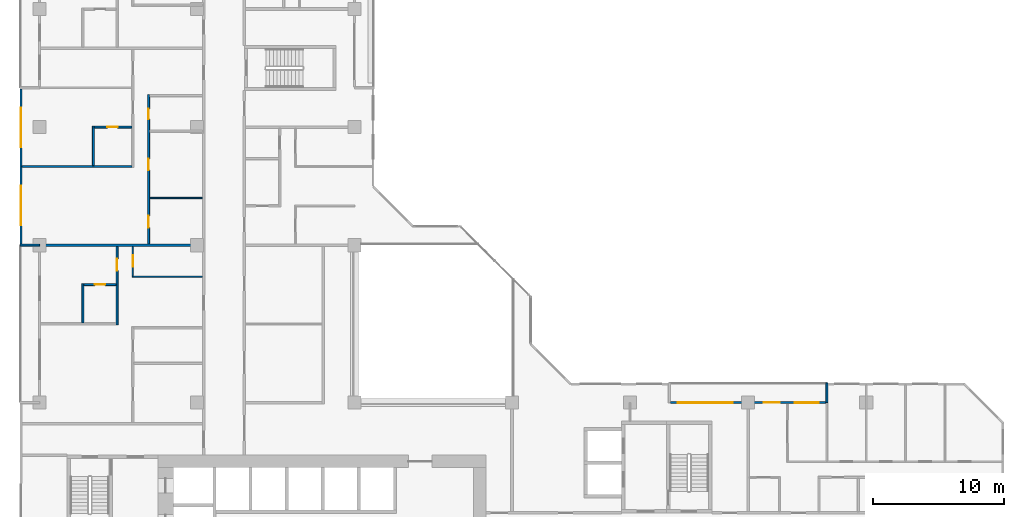
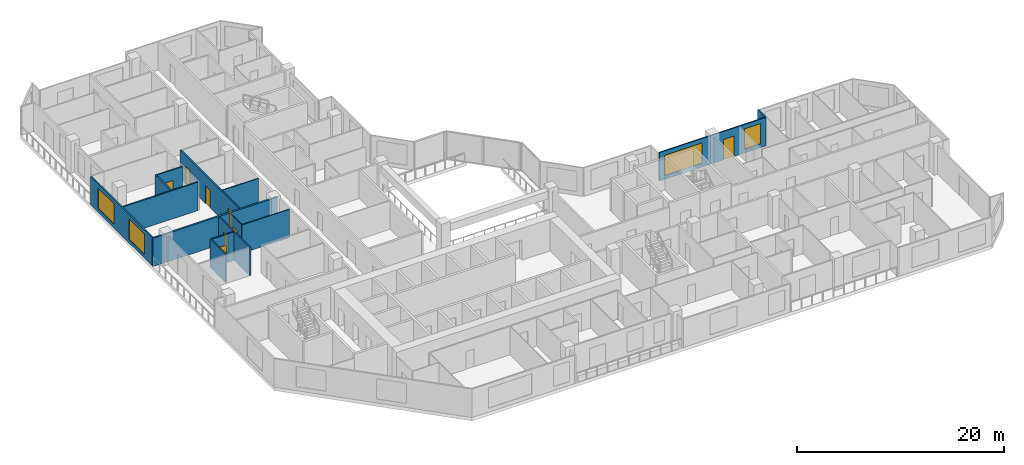
# One storey, part 8 of 15: 15 walls, 8 doors, 4 windows, 12 openings.
"""IFC4 building model written with IfcOpenShell, lengths in metres."""

from ifc_helpers import new_model, si_unit, direction, frame, frame_2d, origin, place, context, subcontext, project, spatial, rectangle, extrude, material, layer, layer_set, type_object, element, fill, save


model = new_model("IFC4")

# Units and contexts
model_context = context("Model", 3, precision=1e-05, world=origin(), true_north=direction((0.0, 1.0)))
body_context = subcontext(model_context, "Body", "Model", "MODEL_VIEW")
ifc_project = project(units=[si_unit("LENGTHUNIT", "METRE"), si_unit("AREAUNIT", "SQUARE_METRE"), si_unit("VOLUMEUNIT", "CUBIC_METRE"), si_unit("PLANEANGLEUNIT", "RADIAN"), si_unit("MASSUNIT", "GRAM", prefix="KILO")], contexts=[model_context])

# Site, building, storey
site_placement = place(None, origin())
site = spatial("IfcSite", under=ifc_project, at=site_placement, CompositionType="ELEMENT")
building_placement = place(site_placement, origin())
building = spatial("IfcBuilding", under=site, at=building_placement, Name="Chenar Terraces", CompositionType="ELEMENT")
storey_placement = place(building_placement, frame((0.0, 0.0, 95.64990234375)))
storey = spatial("IfcBuildingStorey", under=building, at=storey_placement, Name="L21", CompositionType="ELEMENT", Elevation=95.64990234375)

# Wall, openings, windows
ifc_material_1 = material(Name="Aluminium framed glazing", Category="aluminium")
ifc_layer_1 = layer(ifc_material_1, 0.14990234375)
ifc_layer_set_1 = layer_set([ifc_layer_1], Name="Aluminium framed glazing")
wall_type_1 = type_object("IfcWallType", Name="Glazed flush facade wall 150", PredefinedType="SOLIDWALL", material=ifc_layer_set_1)
wall_1_placement = place(storey_placement, frame((-1.425048828125, 47.925048828125, 0.0), z_axis=(0.0, 0.0, 1.0), x_axis=(0.0, -1.0, 0.0)))
wall_1 = element("IfcWall", 1, at=wall_1_placement, inside=storey, type_object=wall_type_1, Name="Glazed flush facade wall", PredefinedType="SOLIDWALL", context=body_context, shape_type="SweptSolid", body=[
    extrude(rectangle(XDim=11.85009765625, YDim=0.14990234375, at=frame_2d((5.925048828125, 0.0))), origin(), (0.0, 0.0, 1.0), 3.35009765625),
])
opening_1_placement = place(wall_1_placement, frame((1.46240234375, 0.0, 0.449951171875)))
opening_1 = element("IfcOpeningElement", 2, at=opening_1_placement, cuts=wall_1, Name="Opening W300x240", PredefinedType="OPENING", context=body_context, shape_type="SweptSolid", body=[
    extrude(rectangle(XDim=3.0, YDim=2.39990234375, at=frame_2d((1.5, 1.199951171875))), frame((0.0, 0.0849609375, 0.0), z_axis=(0.0, -1.0, 0.0), x_axis=(1.0, 0.0, 0.0)), (0.0, 0.0, 1.0), 0.169921875),
])
opening_2_placement = place(wall_1_placement, frame((7.387451171875, 0.0, 0.449951171875)))
opening_2 = element("IfcOpeningElement", 3, at=opening_2_placement, cuts=wall_1, Name="Opening W300x240", PredefinedType="OPENING", context=body_context, shape_type="SweptSolid", body=[
    extrude(rectangle(XDim=3.0, YDim=2.39990234375, at=frame_2d((1.5, 1.199951171875))), frame((0.0, 0.0849609375, 0.0), z_axis=(0.0, -1.0, 0.0), x_axis=(1.0, 0.0, 0.0)), (0.0, 0.0, 1.0), 0.169921875),
])
ifc_material_2 = material(Name="Low emissivity double glazing, aluminium frame", Category="aluminium")
window_type_1 = type_object("IfcWindowType", Name="Fixed light 3000 x 2400", PartitioningType="SINGLE_PANEL", PredefinedType="WINDOW", material=ifc_material_2)
window_1_placement = place(opening_1_placement, origin())
window_1 = element("IfcWindow", 4, at=window_1_placement, inside=storey, type_object=window_type_1, Name="Window", OverallHeight=2.39990234375, OverallWidth=3.0, PartitioningType="SINGLE_PANEL", PredefinedType="WINDOW", context=body_context, shape_type="SweptSolid", body=[
    extrude(rectangle(XDim=3.0, YDim=2.39990234375, at=frame_2d((1.5, 1.199951171875))), frame((0.0, 0.030029296875, 0.0), z_axis=(0.0, -1.0, 0.0), x_axis=(1.0, 0.0, 0.0)), (0.0, 0.0, 1.0), 0.06005859375),
])
fill(opening_1, window_1)
window_2_placement = place(opening_2_placement, origin())
window_2 = element("IfcWindow", 5, at=window_2_placement, inside=storey, type_object=window_type_1, Name="Window", OverallHeight=2.39990234375, OverallWidth=3.0, PartitioningType="SINGLE_PANEL", PredefinedType="WINDOW", context=body_context, shape_type="SweptSolid", body=[
    extrude(rectangle(XDim=3.0, YDim=2.39990234375, at=frame_2d((1.5, 1.199951171875))), frame((0.0, 0.030029296875, 0.0), z_axis=(0.0, -1.0, 0.0), x_axis=(1.0, 0.0, 0.0)), (0.0, 0.0, 1.0), 0.06005859375),
])
fill(opening_2, window_2)

# Wall, openings, windows, door
ifc_material_3 = material(Name="Aluminium framed glazing", Category="aluminium")
ifc_layer_2 = layer(ifc_material_3, 0.14990234375)
ifc_layer_set_2 = layer_set([ifc_layer_2], Name="Aluminium framed glazing")
wall_type_2 = type_object("IfcWallType", Name="Glazed loggia back wall 150", PredefinedType="SOLIDWALL", material=ifc_layer_set_2)
wall_2_placement = place(storey_placement, frame((59.925048828125, 24.0, 0.0), z_axis=(0.0, 0.0, 1.0), x_axis=(-1.0, 0.0, 0.0)))
wall_2 = element("IfcWall", 6, at=wall_2_placement, inside=storey, type_object=wall_type_2, Name="Glazed loggia back wall", PredefinedType="SOLIDWALL", context=body_context, shape_type="SweptSolid", body=[
    extrude(rectangle(XDim=11.85009765625, YDim=0.14990234375, at=frame_2d((5.925048828125, 0.0))), origin(), (0.0, 0.0, 1.0), 3.35009765625),
])
opening_3_placement = place(wall_2_placement, frame((0.5625, 0.0, 0.449951171875)))
opening_3 = element("IfcOpeningElement", 7, at=opening_3_placement, cuts=wall_2, Name="Opening W180x240", PredefinedType="OPENING", context=body_context, shape_type="SweptSolid", body=[
    extrude(rectangle(XDim=1.800048828125, YDim=2.39990234375, at=frame_2d((0.89990234375, 1.199951171875))), frame((0.0, 0.0849609375, 0.0), z_axis=(0.0, -1.0, 0.0), x_axis=(1.0, 0.0, 0.0)), (0.0, 0.0, 1.0), 0.169921875),
])
opening_4_placement = place(wall_2_placement, frame((3.52490234375, 0.0, 0.0)))
opening_4 = element("IfcOpeningElement", 8, at=opening_4_placement, cuts=wall_2, Name="Opening DL21-G1", PredefinedType="OPENING", context=body_context, shape_type="SweptSolid", body=[
    extrude(rectangle(XDim=1.199951171875, YDim=2.39990234375, at=frame_2d((0.60009765625, 1.199951171875))), frame((0.0, 0.0849609375, 0.0), z_axis=(0.0, -1.0, 0.0), x_axis=(1.0, 0.0, 0.0)), (0.0, 0.0, 1.0), 0.169921875),
])
opening_5_placement = place(wall_2_placement, frame((7.08740234375, 0.0, 0.449951171875)))
opening_5 = element("IfcOpeningElement", 9, at=opening_5_placement, cuts=wall_2, Name="Opening W420x240", PredefinedType="OPENING", context=body_context, shape_type="SweptSolid", body=[
    extrude(rectangle(XDim=4.199951171875, YDim=2.39990234375, at=frame_2d((2.10009765625, 1.199951171875))), frame((0.0, 0.0849609375, 0.0), z_axis=(0.0, -1.0, 0.0), x_axis=(1.0, 0.0, 0.0)), (0.0, 0.0, 1.0), 0.169921875),
])
ifc_material_4 = material(Name="Low emissivity double glazing, aluminium frame", Category="aluminium")
window_type_2 = type_object("IfcWindowType", Name="Fixed light 1800 x 2400", PartitioningType="SINGLE_PANEL", PredefinedType="WINDOW", material=ifc_material_4)
window_3_placement = place(opening_3_placement, origin())
window_3 = element("IfcWindow", 10, at=window_3_placement, inside=storey, type_object=window_type_2, Name="Window", OverallHeight=2.39990234375, OverallWidth=1.800048828125, PartitioningType="SINGLE_PANEL", PredefinedType="WINDOW", context=body_context, shape_type="SweptSolid", body=[
    extrude(rectangle(XDim=1.800048828125, YDim=2.39990234375, at=frame_2d((0.89990234375, 1.199951171875))), frame((0.0, 0.030029296875, 0.0), z_axis=(0.0, -1.0, 0.0), x_axis=(1.0, 0.0, 0.0)), (0.0, 0.0, 1.0), 0.06005859375),
])
fill(opening_3, window_3)
ifc_material_5 = material(Name="Low emissivity double glazing, aluminium frame", Category="aluminium")
window_type_3 = type_object("IfcWindowType", Name="Fixed light 4200 x 2400", PartitioningType="SINGLE_PANEL", PredefinedType="WINDOW", material=ifc_material_5)
window_4_placement = place(opening_5_placement, origin())
window_4 = element("IfcWindow", 11, at=window_4_placement, inside=storey, type_object=window_type_3, Name="Window", OverallHeight=2.39990234375, OverallWidth=4.199951171875, PartitioningType="SINGLE_PANEL", PredefinedType="WINDOW", context=body_context, shape_type="SweptSolid", body=[
    extrude(rectangle(XDim=4.199951171875, YDim=2.39990234375, at=frame_2d((2.10009765625, 1.199951171875))), frame((0.0, 0.030029296875, 0.0), z_axis=(0.0, -1.0, 0.0), x_axis=(1.0, 0.0, 0.0)), (0.0, 0.0, 1.0), 0.06005859375),
])
fill(opening_5, window_4)
ifc_material_6 = material(Name="Low emissivity double glazing, aluminium frame", Category="aluminium")
door_type_1 = type_object("IfcDoorType", Name="Loggia glazed double door 1200 x 2400", OperationType="DOUBLE_DOOR_SINGLE_SWING", PredefinedType="DOOR", material=ifc_material_6)
door_1_placement = place(opening_4_placement, frame((1.199951171875, 0.0, 0.0), z_axis=(0.0, 0.0, 1.0), x_axis=(-1.0, 0.0, 0.0)))
door_1 = element("IfcDoor", 12, at=door_1_placement, inside=storey, type_object=door_type_1, Name="Loggia glazed door", OperationType="DOUBLE_DOOR_SINGLE_SWING", OverallHeight=2.39990234375, OverallWidth=1.199951171875, PredefinedType="DOOR", context=body_context, shape_type="SweptSolid", body=[
    extrude(rectangle(XDim=1.199951171875, YDim=2.39990234375, at=frame_2d((0.60009765625, 1.199951171875))), frame((0.0, 0.02490234375, 0.0), z_axis=(0.0, -1.0, 0.0), x_axis=(1.0, 0.0, 0.0)), (0.0, 0.0, 1.0), 0.050048828125),
])
fill(opening_4, door_1)

# Wall
ifc_material_7 = material(Name="Gypsum board on steel studs", Category="steel")
ifc_layer_3 = layer(ifc_material_7, 0.10009765625)
ifc_layer_set_3 = layer_set([ifc_layer_3], Name="Gypsum board on steel studs")
wall_type_3 = type_object("IfcWallType", Name="Gypsum partition 100", PredefinedType="PARTITIONING", material=ifc_layer_set_3)
wall_3_placement = place(storey_placement, frame((7.050048828125, 33.60009765625, 0.0), z_axis=(0.0, 0.0, 1.0), x_axis=(1.0, 0.0, 0.0)))
element("IfcWall", 13, at=wall_3_placement, inside=storey, type_object=wall_type_3, Name="Partition L21-019", PredefinedType="PARTITIONING", context=body_context, shape_type="SweptSolid", body=[
    extrude(rectangle(XDim=5.349853515625, YDim=0.10009765625, at=frame_2d((2.6748046875, 0.0))), origin(), (0.0, 0.0, 1.0), 3.35009765625),
])

# Wall, opening, door
wall_4_placement = place(storey_placement, frame((7.10009765625, 33.64990234375, 0.0), z_axis=(0.0, 0.0, 1.0), x_axis=(0.0, 1.0, 0.0)))
wall_4 = element("IfcWall", 14, at=wall_4_placement, inside=storey, type_object=wall_type_3, Name="Partition L21-021", PredefinedType="PARTITIONING", context=body_context, shape_type="SweptSolid", body=[
    extrude(rectangle(XDim=2.25, YDim=0.10009765625, at=frame_2d((1.125, 0.0))), origin(), (0.0, 0.0, 1.0), 3.35009765625),
])
opening_6_placement = place(wall_4_placement, frame((0.699951171875, 0.0, 0.0)))
opening_6 = element("IfcOpeningElement", 15, at=opening_6_placement, cuts=wall_4, Name="Opening DL21-70", PredefinedType="OPENING", context=body_context, shape_type="SweptSolid", body=[
    extrude(rectangle(XDim=0.89990234375, YDim=2.10009765625, at=frame_2d((0.449951171875, 1.050048828125))), frame((0.0, 0.06005859375, 0.0), z_axis=(0.0, -1.0, 0.0), x_axis=(1.0, 0.0, 0.0)), (0.0, 0.0, 1.0), 0.1201171875),
])
ifc_material_8 = material(Name="Veneered timber door leaf", Category="wood")
door_type_2 = type_object("IfcDoorType", Name="Door 900 x 2100", OperationType="SINGLE_SWING_LEFT", PredefinedType="DOOR", material=ifc_material_8)
door_2_placement = place(opening_6_placement, frame((0.89990234375, 0.0, 0.0), z_axis=(0.0, 0.0, 1.0), x_axis=(-1.0, 0.0, 0.0)))
door_2 = element("IfcDoor", 16, at=door_2_placement, inside=storey, type_object=door_type_2, Name="Door DL21-70", OperationType="SINGLE_SWING_LEFT", OverallHeight=2.10009765625, OverallWidth=0.89990234375, PredefinedType="DOOR", context=body_context, shape_type="SweptSolid", body=[
    extrude(rectangle(XDim=0.89990234375, YDim=2.10009765625, at=frame_2d((0.449951171875, 1.050048828125))), frame((0.0, 0.02490234375, 0.0), z_axis=(0.0, -1.0, 0.0), x_axis=(1.0, 0.0, 0.0)), (0.0, 0.0, 1.0), 0.050048828125),
])
fill(opening_6, door_2)

# Walls
wall_5_placement = place(storey_placement, frame((8.375, 39.60009765625, 0.0), z_axis=(0.0, 0.0, 1.0), x_axis=(1.0, 0.0, 0.0)))
element("IfcWall", 17, at=wall_5_placement, inside=storey, type_object=wall_type_3, Name="Partition L21-030", PredefinedType="PARTITIONING", context=body_context, shape_type="SweptSolid", body=[
    extrude(rectangle(XDim=4.02490234375, YDim=0.10009765625, at=frame_2d((2.012451171875, 0.0))), origin(), (0.0, 0.0, 1.0), 3.35009765625),
])
ifc_material_9 = material(Name="Terracotta cladding on insulated backing", Category="masonry")
ifc_layer_4 = layer(ifc_material_9, 0.14990234375)
ifc_layer_set_4 = layer_set([ifc_layer_4], Name="Terracotta cladding on insulated backing")
wall_type_4 = type_object("IfcWallType", Name="Loggia return wall 150", PredefinedType="SOLIDWALL", material=ifc_layer_set_4)
for number, where, z_axis, x_axis, name in (
    (18, (60.0, 25.5, 0.0), (0.0, 0.0, 1.0), (0.0, -1.0, 0.0), "Loggia return wall"),
    (19, (-1.5, 36.0, 0.0), (0.0, 0.0, 1.0), (1.0, 0.0, 0.0), "Loggia return wall"),
):
    element("IfcWall", number, at=place(storey_placement, frame(where, z_axis=z_axis, x_axis=x_axis)), inside=storey, type_object=wall_type_4, Name=name, PredefinedType="SOLIDWALL", context=body_context, shape_type="SweptSolid", body=[
        extrude(rectangle(XDim=1.5, YDim=0.14990234375, at=frame_2d((0.75, 0.0))), origin(), (0.0, 0.0, 1.0), 3.35009765625),
    ])
ifc_material_10 = material(Name="Twin gypsum board on steel studs with mineral wool", Category="steel")
ifc_layer_5 = layer(ifc_material_10, 0.199951171875)
ifc_layer_set_5 = layer_set([ifc_layer_5], Name="Twin gypsum board on steel studs with mineral wool")
wall_type_5 = type_object("IfcWallType", Name="Unit demising wall 200", PredefinedType="PARTITIONING", material=ifc_layer_set_5)
wall_6_placement = place(storey_placement, frame((0.0, 36.0, 0.0), z_axis=(0.0, 0.0, 1.0), x_axis=(1.0, 0.0, 0.0)))
element("IfcWall", 20, at=wall_6_placement, inside=storey, type_object=wall_type_5, Name="Partition L21-003", PredefinedType="PARTITIONING", context=body_context, shape_type="SweptSolid", body=[
    extrude(rectangle(XDim=12.39990234375, YDim=0.199951171875, at=frame_2d((6.199951171875, 0.0))), origin(), (0.0, 0.0, 1.0), 3.35009765625),
])
ifc_material_11 = material(Name="Moisture-resistant gypsum board on steel studs", Category="steel")
ifc_layer_6 = layer(ifc_material_11, 0.14990234375)
ifc_layer_set_6 = layer_set([ifc_layer_6], Name="Moisture-resistant gypsum board on steel studs")
wall_type_6 = type_object("IfcWallType", Name="Wet-room partition 150", PredefinedType="PARTITIONING", material=ifc_layer_set_6)
wall_7_placement = place(storey_placement, frame((-1.35009765625, 42.0, 0.0), z_axis=(0.0, 0.0, 1.0), x_axis=(1.0, 0.0, 0.0)))
element("IfcWall", 21, at=wall_7_placement, inside=storey, type_object=wall_type_6, Name="Partition L21-004", PredefinedType="PARTITIONING", context=body_context, shape_type="SweptSolid", body=[
    extrude(rectangle(XDim=8.375, YDim=0.14990234375, at=frame_2d((4.1875, 0.0))), origin(), (0.0, 0.0, 1.0), 3.35009765625),
])
wall_8_placement = place(storey_placement, frame((3.300048828125, 30.074951171875, 0.0), z_axis=(0.0, 0.0, 1.0), x_axis=(0.0, 1.0, 0.0)))
element("IfcWall", 22, at=wall_8_placement, inside=storey, type_object=wall_type_6, Name="Partition L21-011", PredefinedType="PARTITIONING", context=body_context, shape_type="SweptSolid", body=[
    extrude(rectangle(XDim=3.0, YDim=0.14990234375, at=frame_2d((1.5, 0.0))), origin(), (0.0, 0.0, 1.0), 3.35009765625),
])

# Wall, opening, door
wall_9_placement = place(storey_placement, frame((3.375, 33.0, 0.0), z_axis=(0.0, 0.0, 1.0), x_axis=(1.0, 0.0, 0.0)))
wall_9 = element("IfcWall", 23, at=wall_9_placement, inside=storey, type_object=wall_type_6, Name="Partition L21-013", PredefinedType="PARTITIONING", context=body_context, shape_type="SweptSolid", body=[
    extrude(rectangle(XDim=2.449951171875, YDim=0.14990234375, at=frame_2d((1.22509765625, 0.0))), origin(), (0.0, 0.0, 1.0), 3.35009765625),
])
opening_7_placement = place(wall_9_placement, frame((0.824951171875, 0.0, 0.0)))
opening_7 = element("IfcOpeningElement", 24, at=opening_7_placement, cuts=wall_9, Name="Opening DL21-69", PredefinedType="OPENING", context=body_context, shape_type="SweptSolid", body=[
    extrude(rectangle(XDim=0.800048828125, YDim=2.10009765625, at=frame_2d((0.39990234375, 1.050048828125))), frame((0.0, 0.0849609375, 0.0), z_axis=(0.0, -1.0, 0.0), x_axis=(1.0, 0.0, 0.0)), (0.0, 0.0, 1.0), 0.169921875),
])
ifc_material_12 = material(Name="Veneered timber door leaf", Category="wood")
door_type_3 = type_object("IfcDoorType", Name="Door 800 x 2100", OperationType="SINGLE_SWING_LEFT", PredefinedType="DOOR", material=ifc_material_12)
door_3_placement = place(opening_7_placement, frame((0.800048828125, 0.0, 0.0), z_axis=(0.0, 0.0, 1.0), x_axis=(-1.0, 0.0, 0.0)))
door_3 = element("IfcDoor", 25, at=door_3_placement, inside=storey, type_object=door_type_3, Name="Door DL21-69", OperationType="SINGLE_SWING_LEFT", OverallHeight=2.10009765625, OverallWidth=0.800048828125, PredefinedType="DOOR", context=body_context, shape_type="SweptSolid", body=[
    extrude(rectangle(XDim=0.800048828125, YDim=2.10009765625, at=frame_2d((0.39990234375, 1.050048828125))), frame((0.0, 0.02490234375, 0.0), z_axis=(0.0, -1.0, 0.0), x_axis=(1.0, 0.0, 0.0)), (0.0, 0.0, 1.0), 0.050048828125),
])
fill(opening_7, door_3)

# Wall
wall_10_placement = place(storey_placement, frame((4.10009765625, 42.074951171875, 0.0), z_axis=(0.0, 0.0, 1.0), x_axis=(0.0, 1.0, 0.0)))
element("IfcWall", 26, at=wall_10_placement, inside=storey, type_object=wall_type_6, Name="Partition L21-015", PredefinedType="PARTITIONING", context=body_context, shape_type="SweptSolid", body=[
    extrude(rectangle(XDim=3.0, YDim=0.14990234375, at=frame_2d((1.5, 0.0))), origin(), (0.0, 0.0, 1.0), 3.35009765625),
])

# Wall, opening, door
wall_11_placement = place(storey_placement, frame((4.175048828125, 45.0, 0.0), z_axis=(0.0, 0.0, 1.0), x_axis=(1.0, 0.0, 0.0)))
wall_11 = element("IfcWall", 27, at=wall_11_placement, inside=storey, type_object=wall_type_6, Name="Partition L21-016", PredefinedType="PARTITIONING", context=body_context, shape_type="SweptSolid", body=[
    extrude(rectangle(XDim=2.849853515625, YDim=0.14990234375, at=frame_2d((1.4248046875, 0.0))), origin(), (0.0, 0.0, 1.0), 3.35009765625),
])
opening_8_placement = place(wall_11_placement, frame((0.97509765625, 0.0, 0.0)))
opening_8 = element("IfcOpeningElement", 28, at=opening_8_placement, cuts=wall_11, Name="Opening DL21-38", PredefinedType="OPENING", context=body_context, shape_type="SweptSolid", body=[
    extrude(rectangle(XDim=0.800048828125, YDim=2.10009765625, at=frame_2d((0.39990234375, 1.050048828125))), frame((0.0, 0.0849609375, 0.0), z_axis=(0.0, -1.0, 0.0), x_axis=(1.0, 0.0, 0.0)), (0.0, 0.0, 1.0), 0.169921875),
])
door_4_placement = place(opening_8_placement, frame((0.800048828125, 0.0, 0.0), z_axis=(0.0, 0.0, 1.0), x_axis=(-1.0, 0.0, 0.0)))
door_4 = element("IfcDoor", 29, at=door_4_placement, inside=storey, type_object=door_type_3, Name="Door DL21-38", OperationType="SINGLE_SWING_RIGHT", OverallHeight=2.10009765625, OverallWidth=0.800048828125, PredefinedType="DOOR", context=body_context, shape_type="SweptSolid", body=[
    extrude(rectangle(XDim=0.800048828125, YDim=2.10009765625, at=frame_2d((0.39990234375, 1.050048828125))), frame((0.0, 0.02490234375, 0.0), z_axis=(0.0, -1.0, 0.0), x_axis=(1.0, 0.0, 0.0)), (0.0, 0.0, 1.0), 0.050048828125),
])
fill(opening_8, door_4)

wall_12_placement = place(storey_placement, frame((5.89990234375, 29.925048828125, 0.0), z_axis=(0.0, 0.0, 1.0), x_axis=(0.0, 1.0, 0.0)))
wall_12 = element("IfcWall", 30, at=wall_12_placement, inside=storey, type_object=wall_type_6, Name="Partition L21-017", PredefinedType="PARTITIONING", context=body_context, shape_type="SweptSolid", body=[
    extrude(rectangle(XDim=5.974853515625, YDim=0.14990234375, at=frame_2d((2.9873046875, 0.0))), origin(), (0.0, 0.0, 1.0), 3.35009765625),
])
opening_9_placement = place(wall_12_placement, frame((4.125, 0.0, 0.0)))
opening_9 = element("IfcOpeningElement", 31, at=opening_9_placement, cuts=wall_12, Name="Opening DL21-68", PredefinedType="OPENING", context=body_context, shape_type="SweptSolid", body=[
    extrude(rectangle(XDim=0.89990234375, YDim=2.10009765625, at=frame_2d((0.449951171875, 1.050048828125))), frame((0.0, 0.0849609375, 0.0), z_axis=(0.0, -1.0, 0.0), x_axis=(1.0, 0.0, 0.0)), (0.0, 0.0, 1.0), 0.169921875),
])
door_5_placement = place(opening_9_placement, origin())
door_5 = element("IfcDoor", 32, at=door_5_placement, inside=storey, type_object=door_type_2, Name="Door DL21-68", OperationType="SINGLE_SWING_LEFT", OverallHeight=2.10009765625, OverallWidth=0.89990234375, PredefinedType="DOOR", context=body_context, shape_type="SweptSolid", body=[
    extrude(rectangle(XDim=0.89990234375, YDim=2.10009765625, at=frame_2d((0.449951171875, 1.050048828125))), frame((0.0, 0.02490234375, 0.0), z_axis=(0.0, -1.0, 0.0), x_axis=(1.0, 0.0, 0.0)), (0.0, 0.0, 1.0), 0.050048828125),
])
fill(opening_9, door_5)

# Wall, openings, doors
wall_13_placement = place(storey_placement, frame((8.300048828125, 36.10009765625, 0.0), z_axis=(0.0, 0.0, 1.0), x_axis=(0.0, 1.0, 0.0)))
wall_13 = element("IfcWall", 33, at=wall_13_placement, inside=storey, type_object=wall_type_6, Name="Partition L21-029", PredefinedType="PARTITIONING", context=body_context, shape_type="SweptSolid", body=[
    extrude(rectangle(XDim=11.375, YDim=0.14990234375, at=frame_2d((5.6875, 0.0))), origin(), (0.0, 0.0, 1.0), 3.35009765625),
])
opening_10_placement = place(wall_13_placement, frame((9.5, 0.0, 0.0)))
opening_10 = element("IfcOpeningElement", 34, at=opening_10_placement, cuts=wall_13, Name="Opening DL21-35", PredefinedType="OPENING", context=body_context, shape_type="SweptSolid", body=[
    extrude(rectangle(XDim=0.800048828125, YDim=2.10009765625, at=frame_2d((0.39990234375, 1.050048828125))), frame((0.0, 0.0849609375, 0.0), z_axis=(0.0, -1.0, 0.0), x_axis=(1.0, 0.0, 0.0)), (0.0, 0.0, 1.0), 0.169921875),
])
opening_11_placement = place(wall_13_placement, frame((5.60009765625, 0.0, 0.0)))
opening_11 = element("IfcOpeningElement", 35, at=opening_11_placement, cuts=wall_13, Name="Opening DL21-39", PredefinedType="OPENING", context=body_context, shape_type="SweptSolid", body=[
    extrude(rectangle(XDim=0.89990234375, YDim=2.10009765625, at=frame_2d((0.449951171875, 1.050048828125))), frame((0.0, 0.0849609375, 0.0), z_axis=(0.0, -1.0, 0.0), x_axis=(1.0, 0.0, 0.0)), (0.0, 0.0, 1.0), 0.169921875),
])
opening_12_placement = place(wall_13_placement, frame((1.25, 0.0, 0.0)))
opening_12 = element("IfcOpeningElement", 36, at=opening_12_placement, cuts=wall_13, Name="Opening DL21-41", PredefinedType="OPENING", context=body_context, shape_type="SweptSolid", body=[
    extrude(rectangle(XDim=0.89990234375, YDim=2.10009765625, at=frame_2d((0.449951171875, 1.050048828125))), frame((0.0, 0.0849609375, 0.0), z_axis=(0.0, -1.0, 0.0), x_axis=(1.0, 0.0, 0.0)), (0.0, 0.0, 1.0), 0.169921875),
])
door_6_placement = place(opening_10_placement, frame((0.800048828125, 0.0, 0.0), z_axis=(0.0, 0.0, 1.0), x_axis=(-1.0, 0.0, 0.0)))
door_6 = element("IfcDoor", 37, at=door_6_placement, inside=storey, type_object=door_type_3, Name="Door DL21-35", OperationType="SINGLE_SWING_RIGHT", OverallHeight=2.10009765625, OverallWidth=0.800048828125, PredefinedType="DOOR", context=body_context, shape_type="SweptSolid", body=[
    extrude(rectangle(XDim=0.800048828125, YDim=2.10009765625, at=frame_2d((0.39990234375, 1.050048828125))), frame((0.0, 0.02490234375, 0.0), z_axis=(0.0, -1.0, 0.0), x_axis=(1.0, 0.0, 0.0)), (0.0, 0.0, 1.0), 0.050048828125),
])
fill(opening_10, door_6)
door_7_placement = place(opening_11_placement, frame((0.89990234375, 0.0, 0.0), z_axis=(0.0, 0.0, 1.0), x_axis=(-1.0, 0.0, 0.0)))
door_7 = element("IfcDoor", 38, at=door_7_placement, inside=storey, type_object=door_type_2, Name="Door DL21-39", OperationType="SINGLE_SWING_LEFT", OverallHeight=2.10009765625, OverallWidth=0.89990234375, PredefinedType="DOOR", context=body_context, shape_type="SweptSolid", body=[
    extrude(rectangle(XDim=0.89990234375, YDim=2.10009765625, at=frame_2d((0.449951171875, 1.050048828125))), frame((0.0, 0.02490234375, 0.0), z_axis=(0.0, -1.0, 0.0), x_axis=(1.0, 0.0, 0.0)), (0.0, 0.0, 1.0), 0.050048828125),
])
fill(opening_11, door_7)
door_8_placement = place(opening_12_placement, frame((0.89990234375, 0.0, 0.0), z_axis=(0.0, 0.0, 1.0), x_axis=(-1.0, 0.0, 0.0)))
door_8 = element("IfcDoor", 39, at=door_8_placement, inside=storey, type_object=door_type_2, Name="Door DL21-41", OperationType="SINGLE_SWING_RIGHT", OverallHeight=2.10009765625, OverallWidth=0.89990234375, PredefinedType="DOOR", context=body_context, shape_type="SweptSolid", body=[
    extrude(rectangle(XDim=0.89990234375, YDim=2.10009765625, at=frame_2d((0.449951171875, 1.050048828125))), frame((0.0, 0.02490234375, 0.0), z_axis=(0.0, -1.0, 0.0), x_axis=(1.0, 0.0, 0.0)), (0.0, 0.0, 1.0), 0.050048828125),
])
fill(opening_12, door_8)

save(model, "model.ifc")
